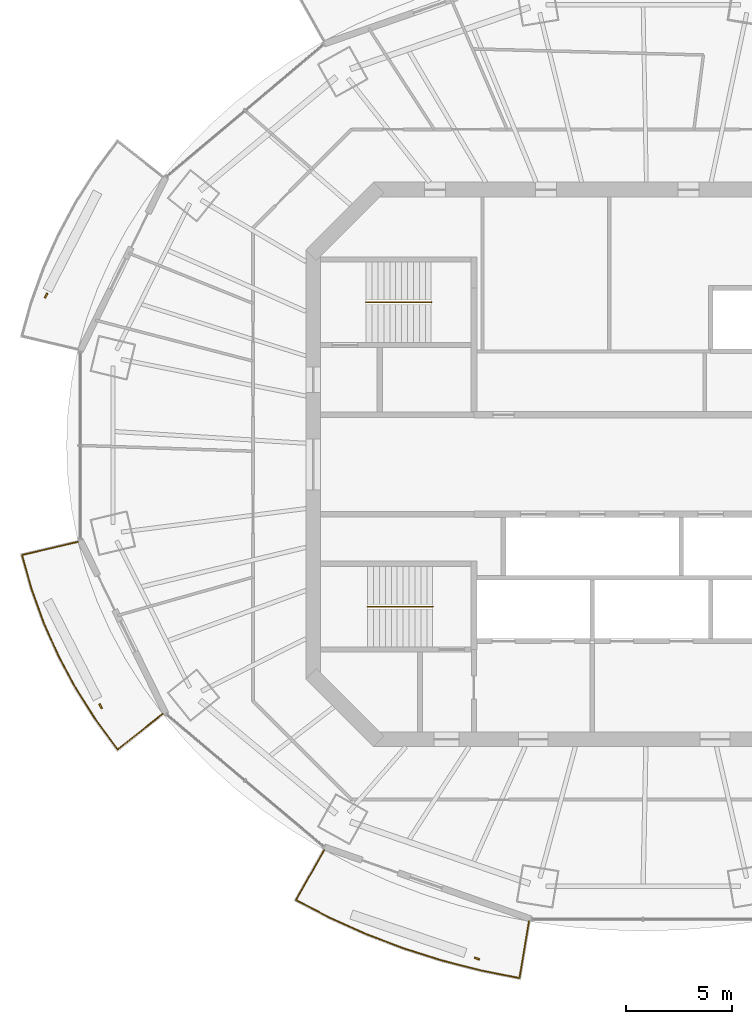
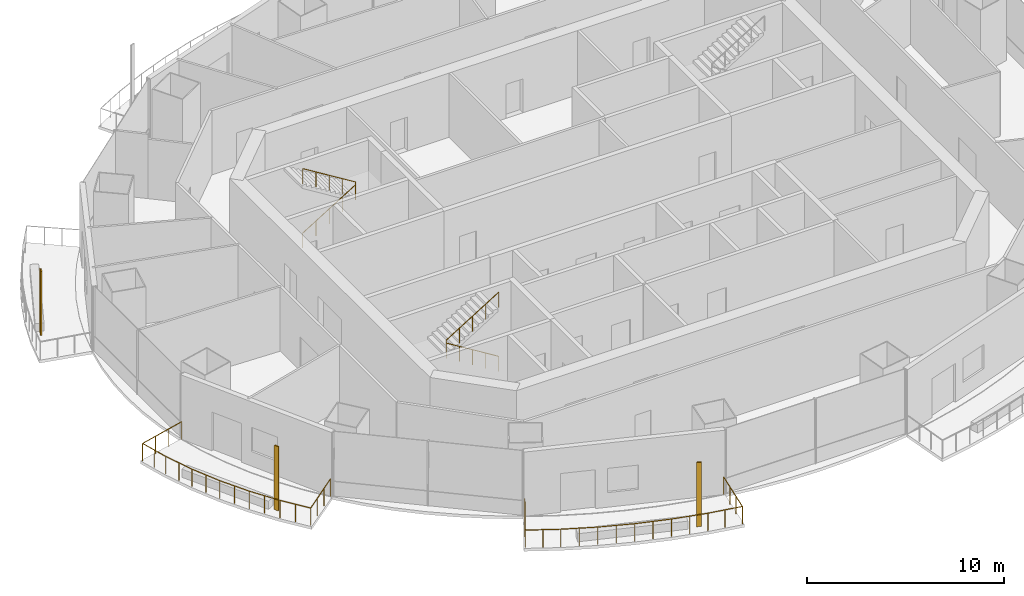
# One storey, part 12 of 16: 4 railings, 3 shading devices.
"""IFC4 building model written with IfcOpenShell, lengths in metres."""

import ifcopenshell
import ifcopenshell.guid

model = None  # the IFC model being written
_history = None  # IfcOwnerHistory: only IFC2X3 demands one
_inside = {}  # id of a spatial element -> (the spatial element, [elements in it])
_under = {}  # id of a project, library or spatial element -> (it, [spatial elements below it])
_declared = {}  # id of a project -> (the project, [libraries it declares])
_typed = {}  # id of a type object -> (the type object, [elements of that type])
_made_of = {}  # id of a material, layer set ... -> (it, [elements and type objects made of it])


def new_model(schema):
    """Start an empty IFC model of exactly this schema.

    Asked for "IFC4X3", IfcOpenShell would pick the latest addendum, in which some entities
    have other attributes; the version numbers below select the first issue.
    IFC2X3 requires an IfcOwnerHistory on every rooted entity: one is made here for all.
    """
    global model, _history
    if schema == "IFC4X3":
        model = ifcopenshell.file(schema_version=(4, 3, 0, 0))
    else:
        model = ifcopenshell.file(schema=schema)
    _inside.clear()
    _under.clear()
    _declared.clear()
    _typed.clear()
    _made_of.clear()
    _history = None
    if model.schema == "IFC2X3":
        org = make("IfcOrganization", Name="unknown")
        user = make(
            "IfcPersonAndOrganization",
            ThePerson=make("IfcPerson", FamilyName="unknown"),
            TheOrganization=org,
        )
        app = make(
            "IfcApplication",
            ApplicationDeveloper=org,
            Version="unknown",
            ApplicationFullName="unknown",
            ApplicationIdentifier="unknown",
        )
        _history = make(
            "IfcOwnerHistory",
            OwningUser=user,
            OwningApplication=app,
            ChangeAction="ADDED",
            CreationDate=0,
        )
    return model


def make(cls, **values):
    """One entity of the class cls with the attributes given. An attribute that is None is left unset."""
    return model.create_entity(
        cls, **{name: value for name, value in values.items() if value is not None}
    )


def rooted(cls, **values):
    """An entity with a GlobalId (a new one), such as an element, a storey or a relation."""
    return make(cls, GlobalId=ifcopenshell.guid.new(), OwnerHistory=_history, **values)


def si_unit(unit_type, name, prefix=None):
    """IfcSIUnit, for example si_unit("LENGTHUNIT", "METRE", prefix="MILLI")."""
    return make("IfcSIUnit", UnitType=unit_type, Prefix=prefix, Name=name)


def assignment(units):
    """IfcUnitAssignment: the units of a project."""
    return None if units is None else make("IfcUnitAssignment", Units=units)


def point(xyz):
    """IfcCartesianPoint."""
    return None if xyz is None else make("IfcCartesianPoint", Coordinates=xyz)


def direction(xyz):
    """IfcDirection."""
    return None if xyz is None else make("IfcDirection", DirectionRatios=xyz)


def frame(location, z_axis=None, x_axis=None):
    """IfcAxis2Placement3D, a coordinate frame: its origin and axes. An axis left out is left unset."""
    return make(
        "IfcAxis2Placement3D",
        Location=point(location),
        Axis=direction(z_axis),
        RefDirection=direction(x_axis),
    )


def frame_2d(location, x_axis=None):
    """IfcAxis2Placement2D, a coordinate frame in the plane: its origin and x axis."""
    return make(
        "IfcAxis2Placement2D", Location=point(location), RefDirection=direction(x_axis)
    )


def origin():
    """The frame at (0, 0, 0) with its axes left unset."""
    return frame((0.0, 0.0, 0.0))


def origin_2d():
    """The frame at (0, 0) in the plane with its x axis left unset."""
    return frame_2d((0.0, 0.0))


def place(relative_to, where):
    """IfcLocalPlacement: puts the frame where relative to a parent placement (None: the world)."""
    return make(
        "IfcLocalPlacement", PlacementRelTo=relative_to, RelativePlacement=where
    )


def context(
    kind, dimensions, precision=None, world=None, true_north=None, identifier=None
):
    """IfcGeometricRepresentationContext, for example the 3D "Model" context."""
    return make(
        "IfcGeometricRepresentationContext",
        ContextIdentifier=identifier,
        ContextType=kind,
        CoordinateSpaceDimension=dimensions,
        Precision=precision,
        WorldCoordinateSystem=world,
        TrueNorth=true_north,
    )


def subcontext(parent, identifier, kind, view, scale=None):
    """IfcGeometricRepresentationSubContext, for example "Body" below "Model"."""
    return make(
        "IfcGeometricRepresentationSubContext",
        ContextIdentifier=identifier,
        ContextType=kind,
        ParentContext=parent,
        TargetScale=scale,
        TargetView=view,
    )


def project(units=None, contexts=None):
    """IfcProject with its units and contexts."""
    return rooted(
        "IfcProject",
        Name="project",
        RepresentationContexts=contexts,
        UnitsInContext=assignment(units),
    )


def spatial(cls, under=None, at=None, **own):
    """A site, building, storey or space (cls), placed at a placement, below another one or the project."""
    s = rooted(cls, ObjectPlacement=at, **own)
    if under is not None:
        _under.setdefault(under.id(), (under, []))[1].append(s)
    return s


def profile(cls, at=None, kind="AREA", **sizes):
    """A parametric profile (cls). Its sizes go by their IFC names, for example OverallWidth=200.0."""
    return make(cls, ProfileType=kind, Position=at, **sizes)


def rectangle(**sizes):
    """IfcRectangleProfileDef."""
    return profile("IfcRectangleProfileDef", **sizes)


def circle(**sizes):
    """IfcCircleProfileDef."""
    return profile("IfcCircleProfileDef", **sizes)


def extrude(swept, where, along, depth):
    """IfcExtrudedAreaSolid: the profile swept, set in the frame where, extruded along a direction by depth."""
    return make(
        "IfcExtrudedAreaSolid",
        SweptArea=swept,
        Position=where,
        ExtrudedDirection=direction(along),
        Depth=depth,
    )


def shape(context_of_items, identifier, shape_type, items):
    """IfcShapeRepresentation: the items that make up one representation, for example the "Body"."""
    return make(
        "IfcShapeRepresentation",
        ContextOfItems=context_of_items,
        RepresentationIdentifier=identifier,
        RepresentationType=shape_type,
        Items=items,
    )


def material(Name=None, Category=None):
    """IfcMaterial."""
    return make("IfcMaterial", Name=Name, Category=Category)


def material_profile(
    of_material, cross_section, Name=None, Category=None, Priority=None
):
    """IfcMaterialProfile: a cross section and its material."""
    return make(
        "IfcMaterialProfile",
        Name=Name,
        Material=of_material,
        Profile=cross_section,
        Priority=Priority,
        Category=Category,
    )


def profile_set(profiles, Name=None, composite=None):
    """IfcMaterialProfileSet."""
    return make(
        "IfcMaterialProfileSet",
        Name=Name,
        MaterialProfiles=profiles,
        CompositeProfile=composite,
    )


def made_of(thing, what):
    """Note that an element or type object is made of a material, layer set ...; save() writes the relation."""
    if what is not None:
        _made_of.setdefault(what.id(), (what, []))[1].append(thing)
    return thing


def type_object(cls, material=None, **own):
    """A type object (cls), such as IfcWallType, which elements share."""
    return made_of(rooted(cls, **own), material)


def element(
    cls,
    number,
    at=None,
    inside=None,
    cuts=None,
    type_object=None,
    material=None,
    context=None,
    identifier="Body",
    shape_type=None,
    held_by="IfcProductDefinitionShape",
    body=None,
    shapes=None,
    **own,
):
    """One element of the class cls, such as IfcWall. Its Tag is "e" and its number.

    at: its placement. inside: the storey or other place that contains it. cuts: it is an
    opening in that element (IfcRelVoidsElement). A single representation is given by context,
    identifier, shape_type and body (its items); several are given by shapes. held_by: the class
    of the entity that holds the representations. save() writes the other relations.
    """
    e = rooted(cls, Tag="e%d" % number, ObjectPlacement=at, **own)
    if body is not None:
        shapes = [shape(context, identifier, shape_type, body)]
    if shapes is not None:
        e.Representation = make(held_by, Representations=shapes)
    if inside is not None:
        _inside.setdefault(inside.id(), (inside, []))[1].append(e)
    if cuts is not None:
        rooted(
            "IfcRelVoidsElement", RelatingBuildingElement=cuts, RelatedOpeningElement=e
        )
    if type_object is not None:
        _typed.setdefault(type_object.id(), (type_object, []))[1].append(e)
    return made_of(e, material)


def aggregate(whole, parts):
    """IfcRelAggregates: a whole, such as a stair, and the parts it consists of."""
    return rooted("IfcRelAggregates", RelatingObject=whole, RelatedObjects=parts)


def save(model, path):
    """Write the relations noted so far, then the file.

    IfcRelAggregates (storeys below a building ...), IfcRelContainedInSpatialStructure (elements
    in a storey), IfcRelDefinesByType, IfcRelAssociatesMaterial and IfcRelDeclares: one each for
    every whole, place, type object, material and project.
    """
    for whole, parts in _under.values():
        aggregate(whole, parts)
    for where, things in _inside.values():
        rooted(
            "IfcRelContainedInSpatialStructure",
            RelatedElements=things,
            RelatingStructure=where,
        )
    for kind, things in _typed.values():
        rooted("IfcRelDefinesByType", RelatedObjects=things, RelatingType=kind)
    for what, things in _made_of.values():
        rooted("IfcRelAssociatesMaterial", RelatedObjects=things, RelatingMaterial=what)
    for by, libraries in _declared.values():
        rooted("IfcRelDeclares", RelatingContext=by, RelatedDefinitions=libraries)
    model.write(path)


model = new_model("IFC4")

# Units and contexts
model_context = context("Model", 3, precision=1e-05, world=origin(), true_north=direction((0.0, 1.0)))
body_context = subcontext(model_context, "Body", "Model", "MODEL_VIEW")
ifc_project = project(units=[si_unit("LENGTHUNIT", "METRE"), si_unit("AREAUNIT", "SQUARE_METRE"), si_unit("VOLUMEUNIT", "CUBIC_METRE"), si_unit("PLANEANGLEUNIT", "RADIAN"), si_unit("MASSUNIT", "GRAM", prefix="KILO")], contexts=[model_context])

# Site, building, storey
site_placement = place(None, origin())
site = spatial("IfcSite", under=ifc_project, at=site_placement, CompositionType="ELEMENT")
building_placement = place(site_placement, origin())
building = spatial("IfcBuilding", under=site, at=building_placement, Name="Marenthal Gate Tower", CompositionType="ELEMENT")
storey_placement = place(building_placement, frame((0.0, 0.0, 338.449951171875)))
storey = spatial("IfcBuildingStorey", under=building, at=storey_placement, Name="L76", CompositionType="ELEMENT", Elevation=338.449951171875)

# Railings
ifc_material_1 = material(Name="Stainless steel", Category="steel")
railing_type_1 = type_object("IfcRailingType", Name="Balcony guard 1100", PredefinedType="GUARDRAIL", material=ifc_material_1)
railing_1_placement = place(storey_placement, frame((-23.123046875, -11.79443359375, 0.0)))
element("IfcRailing", 1, at=railing_1_placement, inside=storey, type_object=railing_type_1, Name="Balcony guard L76 bay 9", PredefinedType="GUARDRAIL", context=body_context, shape_type="SweptSolid", body=[
    extrude(circle(Radius=0.02392578125, at=origin_2d()), frame((0.0, 0.0, 1.076171875), z_axis=(-0.783613159988, -0.621074684128, -0.014719111011), x_axis=(0.621141973669, -0.783698059553, 0.0)), (0.0, 0.0, 1.0), 2.72021484375),
    extrude(circle(Radius=0.02392578125, at=origin_2d()), frame((-2.131591796875, -1.689453125, 1.0361328125), z_axis=(-0.592673479354, 0.805442826569, 0.0), x_axis=(-0.805442826569, -0.592673479354, 0.0)), (0.0, 0.0, 1.0), 1.69580078125),
    extrude(circle(Radius=0.02392578125, at=origin_2d()), frame((-3.13671875, -0.323486328125, 1.0361328125), z_axis=(-0.53589847601, 0.844282431068, 0.0), x_axis=(-0.844282431068, -0.53589847601, 0.0)), (0.0, 0.0, 1.0), 1.76318359375),
    extrude(circle(Radius=0.02392578125, at=origin_2d()), frame((-4.08154296875, 1.1650390625, 1.0361328125), z_axis=(-0.473717470746, 0.880676874858, 0.0), x_axis=(-0.880676874858, -0.473717470746, 0.0)), (0.0, 0.0, 1.0), 1.751708984375),
    extrude(circle(Radius=0.02392578125, at=origin_2d()), frame((-4.911376953125, 2.707763671875, 1.0361328125), z_axis=(-0.407984820198, 0.912988711041, 0.0), x_axis=(-0.912988711041, -0.407984820198, 0.0)), (0.0, 0.0, 1.0), 1.741455078125),
    extrude(circle(Radius=0.02392578125, at=origin_2d()), frame((-5.621826171875, 4.297607421875, 1.0361328125), z_axis=(-0.338924060667, 0.940813733478, 0.0), x_axis=(-0.940813733478, -0.338924060667, 0.0)), (0.0, 0.0, 1.0), 1.732421875),
    extrude(circle(Radius=0.02392578125, at=origin_2d()), frame((-6.208984375, 5.927490234375, 1.0361328125), z_axis=(-0.268600452735, 0.963251678841, 0.0), x_axis=(-0.963251678841, -0.268600452735, 0.0)), (0.0, 0.0, 1.0), 1.645263671875),
    extrude(circle(Radius=0.02392578125, at=origin_2d()), frame((-6.65087890625, 7.51220703125, 1.0361328125), z_axis=(0.97315730439, 0.229669790827, 0.014718970573), x_axis=(-0.229694673631, 0.973262737859, 0.0)), (0.0, 0.0, 1.0), 2.72021484375),
    extrude(circle(Radius=0.02099609375, at=origin_2d()), origin(), (0.0, 0.0, 1.0), 1.052001953125),
    extrude(circle(Radius=0.02099609375, at=origin_2d()), frame((-0.71044921875, -0.563232421875, -0.013427734375)), (0.0, 0.0, 1.0), 1.052001953125),
    extrude(circle(Radius=0.02099609375, at=origin_2d()), frame((-1.421142578125, -1.126220703125, -0.026611328125)), (0.0, 0.0, 1.0), 1.052001953125),
    extrude(circle(Radius=0.02099609375, at=origin_2d()), frame((-2.131591796875, -1.689453125, -0.0400390625)), (0.0, 0.0, 1.0), 1.052001953125),
    extrude(circle(Radius=0.02099609375, at=origin_2d()), frame((-2.63427734375, -1.00634765625, -0.0400390625)), (0.0, 0.0, 1.0), 1.052001953125),
    extrude(circle(Radius=0.02099609375, at=origin_2d()), frame((-3.13671875, -0.323486328125, -0.0400390625)), (0.0, 0.0, 1.0), 1.052001953125),
    extrude(circle(Radius=0.02099609375, at=origin_2d()), frame((-3.609130859375, 0.4208984375, -0.0400390625)), (0.0, 0.0, 1.0), 1.052001953125),
    extrude(circle(Radius=0.02099609375, at=origin_2d()), frame((-4.08154296875, 1.1650390625, -0.0400390625)), (0.0, 0.0, 1.0), 1.052001953125),
    extrude(circle(Radius=0.02099609375, at=origin_2d()), frame((-4.49658203125, 1.9365234375, -0.0400390625)), (0.0, 0.0, 1.0), 1.052001953125),
    extrude(circle(Radius=0.02099609375, at=origin_2d()), frame((-4.911376953125, 2.707763671875, -0.0400390625)), (0.0, 0.0, 1.0), 1.052001953125),
    extrude(circle(Radius=0.02099609375, at=origin_2d()), frame((-5.2666015625, 3.502685546875, -0.0400390625)), (0.0, 0.0, 1.0), 1.052001953125),
    extrude(circle(Radius=0.02099609375, at=origin_2d()), frame((-5.621826171875, 4.297607421875, -0.0400390625)), (0.0, 0.0, 1.0), 1.052001953125),
    extrude(circle(Radius=0.02099609375, at=origin_2d()), frame((-5.91552734375, 5.112548828125, -0.0400390625)), (0.0, 0.0, 1.0), 1.052001953125),
    extrude(circle(Radius=0.02099609375, at=origin_2d()), frame((-6.208984375, 5.927490234375, -0.0400390625)), (0.0, 0.0, 1.0), 1.052001953125),
    extrude(circle(Radius=0.02099609375, at=origin_2d()), frame((-6.429931640625, 6.7197265625, -0.0400390625)), (0.0, 0.0, 1.0), 1.052001953125),
    extrude(circle(Radius=0.02099609375, at=origin_2d()), frame((-6.65087890625, 7.51220703125, -0.0400390625)), (0.0, 0.0, 1.0), 1.052001953125),
    extrude(circle(Radius=0.02099609375, at=origin_2d()), frame((-5.7685546875, 7.720458984375, -0.026611328125)), (0.0, 0.0, 1.0), 1.052001953125),
    extrude(circle(Radius=0.02099609375, at=origin_2d()), frame((-4.885986328125, 7.9287109375, -0.013427734375)), (0.0, 0.0, 1.0), 1.052001953125),
    extrude(circle(Radius=0.02099609375, at=origin_2d()), frame((-4.003662109375, 8.136962890625, 0.0)), (0.0, 0.0, 1.0), 1.052001953125),
])
railing_2_placement = place(storey_placement, frame((-5.798828125, -21.607666015625, 0.0)))
element("IfcRailing", 2, at=railing_2_placement, inside=storey, type_object=railing_type_1, Name="Balcony guard L76 bay 11", PredefinedType="GUARDRAIL", context=body_context, shape_type="SweptSolid", body=[
    extrude(circle(Radius=0.02392578125, at=origin_2d()), frame((0.0, 0.0, 1.076171875), z_axis=(-0.165327157968, -0.986128927578, -0.014719681817), x_axis=(0.986235776742, -0.165345071517, 0.0)), (0.0, 0.0, 1.0), 2.72021484375),
    extrude(circle(Radius=0.02392578125, at=origin_2d()), frame((-0.44970703125, -2.682373046875, 1.0361328125), z_axis=(-0.9810465399, 0.193772254337, 0.0), x_axis=(-0.193772254337, -0.9810465399, 0.0)), (0.0, 0.0, 1.0), 1.84326171875),
    extrude(circle(Radius=0.02392578125, at=origin_2d()), frame((-2.258056640625, -2.3251953125, 1.0361328125), z_axis=(-0.968878064997, 0.247538472096, 0.0), x_axis=(-0.247538472096, -0.968878064997, 0.0)), (0.0, 0.0, 1.0), 1.916259765625),
    extrude(circle(Radius=0.02392578125, at=origin_2d()), frame((-4.11474609375, -1.850830078125, 1.0361328125), z_axis=(-0.953251321023, 0.302178620963, 0.0), x_axis=(-0.302178620963, -0.953251321023, 0.0)), (0.0, 0.0, 1.0), 1.907470703125),
    extrude(circle(Radius=0.02392578125, at=origin_2d()), frame((-5.93310546875, -1.2744140625, 1.0361328125), z_axis=(-0.934293977025, 0.356503526623, 0.0), x_axis=(-0.356503526623, -0.934293977025, 0.0)), (0.0, 0.0, 1.0), 1.897705078125),
    extrude(circle(Radius=0.02392578125, at=origin_2d()), frame((-7.7060546875, -0.597900390625, 1.0361328125), z_axis=(-0.911863363512, 0.410493856573, 0.0), x_axis=(-0.410493856573, -0.911863363512, 0.0)), (0.0, 0.0, 1.0), 1.885986328125),
    extrude(circle(Radius=0.02392578125, at=origin_2d()), frame((-9.42578125, 0.17626953125, 1.0361328125), z_axis=(-0.886507182027, 0.462714832498, 0.0), x_axis=(-0.462714832498, -0.886507182027, 0.0)), (0.0, 0.0, 1.0), 1.7939453125),
    extrude(circle(Radius=0.02392578125, at=origin_2d()), frame((-11.01611328125, 1.00634765625, 1.0361328125), z_axis=(0.490740668141, 0.871181358019, 0.014718630134), x_axis=(-0.871275738879, 0.490793833336, 0.0)), (0.0, 0.0, 1.0), 2.72021484375),
    extrude(circle(Radius=0.02099609375, at=origin_2d()), origin(), (0.0, 0.0, 1.0), 1.052001953125),
    extrude(circle(Radius=0.02099609375, at=origin_2d()), frame((-0.14990234375, -0.89404296875, -0.013427734375)), (0.0, 0.0, 1.0), 1.052001953125),
    extrude(circle(Radius=0.02099609375, at=origin_2d()), frame((-0.2998046875, -1.788330078125, -0.026611328125)), (0.0, 0.0, 1.0), 1.052001953125),
    extrude(circle(Radius=0.02099609375, at=origin_2d()), frame((-0.44970703125, -2.682373046875, -0.0400390625)), (0.0, 0.0, 1.0), 1.052001953125),
    extrude(circle(Radius=0.02099609375, at=origin_2d()), frame((-1.35400390625, -2.50390625, -0.0400390625)), (0.0, 0.0, 1.0), 1.052001953125),
    extrude(circle(Radius=0.02099609375, at=origin_2d()), frame((-2.258056640625, -2.3251953125, -0.0400390625)), (0.0, 0.0, 1.0), 1.052001953125),
    extrude(circle(Radius=0.02099609375, at=origin_2d()), frame((-3.1865234375, -2.087890625, -0.0400390625)), (0.0, 0.0, 1.0), 1.052001953125),
    extrude(circle(Radius=0.02099609375, at=origin_2d()), frame((-4.11474609375, -1.850830078125, -0.0400390625)), (0.0, 0.0, 1.0), 1.052001953125),
    extrude(circle(Radius=0.02099609375, at=origin_2d()), frame((-5.02392578125, -1.5625, -0.0400390625)), (0.0, 0.0, 1.0), 1.052001953125),
    extrude(circle(Radius=0.02099609375, at=origin_2d()), frame((-5.93310546875, -1.2744140625, -0.0400390625)), (0.0, 0.0, 1.0), 1.052001953125),
    extrude(circle(Radius=0.02099609375, at=origin_2d()), frame((-6.819580078125, -0.93603515625, -0.0400390625)), (0.0, 0.0, 1.0), 1.052001953125),
    extrude(circle(Radius=0.02099609375, at=origin_2d()), frame((-7.7060546875, -0.597900390625, -0.0400390625)), (0.0, 0.0, 1.0), 1.052001953125),
    extrude(circle(Radius=0.02099609375, at=origin_2d()), frame((-8.56591796875, -0.2109375, -0.0400390625)), (0.0, 0.0, 1.0), 1.052001953125),
    extrude(circle(Radius=0.02099609375, at=origin_2d()), frame((-9.42578125, 0.17626953125, -0.0400390625)), (0.0, 0.0, 1.0), 1.052001953125),
    extrude(circle(Radius=0.02099609375, at=origin_2d()), frame((-10.220947265625, 0.59130859375, -0.0400390625)), (0.0, 0.0, 1.0), 1.052001953125),
    extrude(circle(Radius=0.02099609375, at=origin_2d()), frame((-11.01611328125, 1.00634765625, -0.0400390625)), (0.0, 0.0, 1.0), 1.052001953125),
    extrude(circle(Radius=0.02099609375, at=origin_2d()), frame((-10.571044921875, 1.79638671875, -0.026611328125)), (0.0, 0.0, 1.0), 1.052001953125),
    extrude(circle(Radius=0.02099609375, at=origin_2d()), frame((-10.126220703125, 2.586181640625, -0.013427734375)), (0.0, 0.0, 1.0), 1.052001953125),
    extrude(circle(Radius=0.02099609375, at=origin_2d()), frame((-9.68115234375, 3.376220703125, 0.0)), (0.0, 0.0, 1.0), 1.052001953125),
])
ifc_material_2 = material(Name="Stainless steel", Category="steel")
railing_type_2 = type_object("IfcRailingType", Name="Stair handrail", PredefinedType="HANDRAIL", material=ifc_material_2)
railing_3_placement = place(storey_placement, frame((-13.5, 7.675048828125, 0.1728515625)))
element("IfcRailing", 3, at=railing_3_placement, inside=storey, type_object=railing_type_2, Name="Handrail ST1", PredefinedType="HANDRAIL", context=body_context, shape_type="SweptSolid", body=[
    extrude(circle(Radius=0.0224609375, at=origin_2d()), frame((0.0, 0.0, 0.927490234375), z_axis=(0.850835241893, 0.0, 0.525432575268), x_axis=(0.0, 1.0, 0.0)), (0.0, 0.0, 1.0), 3.6201171875),
    extrude(circle(Radius=0.0224609375, at=origin_2d()), frame((3.080078125, 0.0, 2.82958984375), z_axis=(0.0, 0.0, 1.0), x_axis=(1.0, 0.0, 0.0)), (0.0, 0.0, 1.0), 0.173095703125),
    extrude(circle(Radius=0.0224609375, at=origin_2d()), frame((3.080078125, 0.0, 3.002685546875), z_axis=(-0.850835241893, 0.0, 0.525432575268), x_axis=(0.0, -1.0, 0.0)), (0.0, 0.0, 1.0), 3.6201171875),
    extrude(circle(Radius=0.02001953125, at=origin_2d()), origin(), (0.0, 0.0, 1.0), 0.905029296875),
    extrude(circle(Radius=0.02001953125, at=origin_2d()), frame((0.77001953125, 0.0, 0.4755859375)), (0.0, 0.0, 1.0), 0.905029296875),
    extrude(circle(Radius=0.02001953125, at=origin_2d()), frame((1.5400390625, 0.0, 0.951171875)), (0.0, 0.0, 1.0), 0.905029296875),
    extrude(circle(Radius=0.02001953125, at=origin_2d()), frame((2.31005859375, 0.0, 1.426513671875)), (0.0, 0.0, 1.0), 0.905029296875),
    extrude(circle(Radius=0.02001953125, at=origin_2d()), frame((3.080078125, 0.0, 1.902099609375)), (0.0, 0.0, 1.0), 0.905029296875),
    extrude(circle(Radius=0.02001953125, at=origin_2d()), frame((3.080078125, 0.0, 2.0751953125)), (0.0, 0.0, 1.0), 0.905029296875),
    extrude(circle(Radius=0.02001953125, at=origin_2d()), frame((2.31005859375, 0.0, 2.55078125)), (0.0, 0.0, 1.0), 0.905029296875),
    extrude(circle(Radius=0.02001953125, at=origin_2d()), frame((1.5400390625, 0.0, 3.0263671875)), (0.0, 0.0, 1.0), 0.905029296875),
    extrude(circle(Radius=0.02001953125, at=origin_2d()), frame((0.77001953125, 0.0, 3.501708984375)), (0.0, 0.0, 1.0), 0.905029296875),
    extrude(circle(Radius=0.02001953125, at=origin_2d()), frame((0.0, 0.0, 3.977294921875)), (0.0, 0.0, 1.0), 0.905029296875),
])
railing_4_placement = place(storey_placement, frame((-10.35009765625, -6.72509765625, 0.1728515625)))
element("IfcRailing", 4, at=railing_4_placement, inside=storey, type_object=railing_type_2, Name="Handrail ST2", PredefinedType="HANDRAIL", context=body_context, shape_type="SweptSolid", body=[
    extrude(circle(Radius=0.0224609375, at=origin_2d()), frame((0.0, 0.0, 0.927490234375), z_axis=(-0.850816621229, 0.0, 0.525462726595), x_axis=(0.0, -1.0, 0.0)), (0.0, 0.0, 1.0), 3.619873046875),
    extrude(circle(Radius=0.0224609375, at=origin_2d()), frame((-3.079833984375, 0.0, 2.82958984375), z_axis=(0.0, 0.0, 1.0), x_axis=(1.0, 0.0, 0.0)), (0.0, 0.0, 1.0), 0.173095703125),
    extrude(circle(Radius=0.0224609375, at=origin_2d()), frame((-3.079833984375, 0.0, 3.002685546875), z_axis=(0.850816621229, 0.0, 0.525462726595), x_axis=(0.0, 1.0, 0.0)), (0.0, 0.0, 1.0), 3.619873046875),
    extrude(circle(Radius=0.02001953125, at=origin_2d()), origin(), (0.0, 0.0, 1.0), 0.905029296875),
    extrude(circle(Radius=0.02001953125, at=origin_2d()), frame((-0.77001953125, 0.0, 0.4755859375)), (0.0, 0.0, 1.0), 0.905029296875),
    extrude(circle(Radius=0.02001953125, at=origin_2d()), frame((-1.5400390625, 0.0, 0.951171875)), (0.0, 0.0, 1.0), 0.905029296875),
    extrude(circle(Radius=0.02001953125, at=origin_2d()), frame((-2.309814453125, 0.0, 1.426513671875)), (0.0, 0.0, 1.0), 0.905029296875),
    extrude(circle(Radius=0.02001953125, at=origin_2d()), frame((-3.079833984375, 0.0, 1.902099609375)), (0.0, 0.0, 1.0), 0.905029296875),
    extrude(circle(Radius=0.02001953125, at=origin_2d()), frame((-3.079833984375, 0.0, 2.0751953125)), (0.0, 0.0, 1.0), 0.905029296875),
    extrude(circle(Radius=0.02001953125, at=origin_2d()), frame((-2.309814453125, 0.0, 2.55078125)), (0.0, 0.0, 1.0), 0.905029296875),
    extrude(circle(Radius=0.02001953125, at=origin_2d()), frame((-1.5400390625, 0.0, 3.0263671875)), (0.0, 0.0, 1.0), 0.905029296875),
    extrude(circle(Radius=0.02001953125, at=origin_2d()), frame((-0.77001953125, 0.0, 3.501708984375)), (0.0, 0.0, 1.0), 0.905029296875),
    extrude(circle(Radius=0.02001953125, at=origin_2d()), frame((0.0, 0.0, 3.977294921875)), (0.0, 0.0, 1.0), 0.905029296875),
])

# Shading devices
ifc_material_3 = material(Name="Terracotta", Category="masonry")
ifc_material_profile = material_profile(ifc_material_3, rectangle(XDim=0.25, YDim=0.080078125, at=origin_2d()), Name="Terracotta baguette 250x80")
ifc_profile_set = profile_set([ifc_material_profile], Name="Terracotta")
shading_device_type = type_object("IfcShadingDeviceType", Name="Terracotta BAGUETTE SCREEN 250x80", PredefinedType="USERDEFINED", material=ifc_profile_set)
for number, where, z_axis, x_axis, name in (
    (5, (-28.636962890625, 7.98876953125, -0.0400390625), (0.0, 0.0, 1.0), (-0.441297921184, -0.897360654787, 0.0), "Terracotta BAGUETTE L76 bay 7R"),
    (6, (-26.05810546875, -11.432373046875, -0.0400390625), (0.0, 0.0, 1.0), (0.441297921184, -0.897360654787, 0.0), "Terracotta BAGUETTE L76 bay 9R"),
    (7, (-8.26123046875, -23.36767578125, -0.0400390625), (0.0, 0.0, 1.0), (0.944185799872, -0.329413380602, 0.0), "Terracotta BAGUETTE L76 bay 11R"),
):
    element("IfcShadingDevice", number, at=place(storey_placement, frame(where, z_axis=z_axis, x_axis=x_axis)), inside=storey, type_object=shading_device_type, Name=name, ObjectType="BAGUETTE SCREEN", PredefinedType="USERDEFINED", context=body_context, shape_type="SweptSolid", body=[
        extrude(rectangle(XDim=0.25, YDim=0.080078125, at=origin_2d()), origin(), (0.0, 0.0, 1.0), 3.969970703125),
    ])

save(model, "model.ifc")
